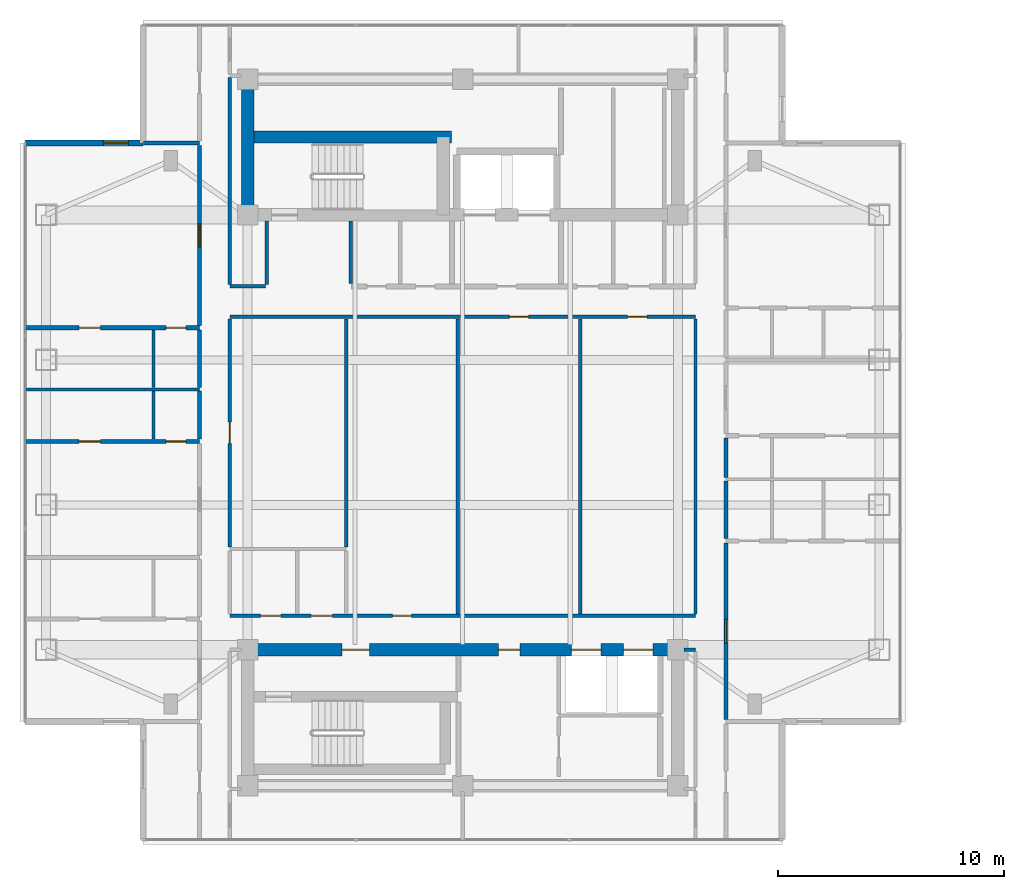
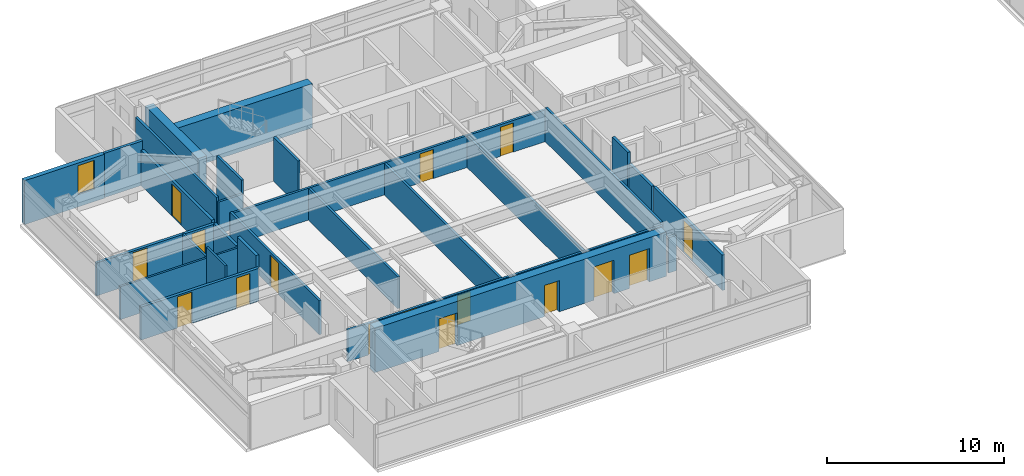
# One storey, part 12 of 23: 28 walls, 16 doors, 1 window, 17 openings.
"""IFC4 building model written with IfcOpenShell, lengths in metres."""

from ifc_helpers import new_model, si_unit, direction, frame, frame_2d, origin, place, context, subcontext, project, spatial, rectangle, extrude, material, layer, layer_set, type_object, element, fill, save


model = new_model("IFC4")

# Units and contexts
model_context = context("Model", 3, precision=1e-05, world=origin(), true_north=direction((0.0, 1.0)))
body_context = subcontext(model_context, "Body", "Model", "MODEL_VIEW")
ifc_project = project(units=[si_unit("LENGTHUNIT", "METRE"), si_unit("AREAUNIT", "SQUARE_METRE"), si_unit("VOLUMEUNIT", "CUBIC_METRE"), si_unit("PLANEANGLEUNIT", "RADIAN"), si_unit("MASSUNIT", "GRAM", prefix="KILO")], contexts=[model_context])

# Site, building, storey
site_placement = place(None, origin())
site = spatial("IfcSite", under=ifc_project, at=site_placement, CompositionType="ELEMENT")
building_placement = place(site_placement, origin())
building = spatial("IfcBuilding", under=site, at=building_placement, Name="Mirazonda Arch Towers", CompositionType="ELEMENT")
storey_placement = place(building_placement, frame((0.0, 0.0, 183.64990234375)))
storey = spatial("IfcBuildingStorey", under=building, at=storey_placement, Name="L52", CompositionType="ELEMENT", Elevation=183.64990234375)

# Walls
ifc_material_1 = material(Name="Concrete C50/60", Category="concrete")
ifc_layer_1 = layer(ifc_material_1, 0.550048828125, Name="WALL-CORE-550")
ifc_layer_set_1 = layer_set([ifc_layer_1], Name="Concrete C50/60")
wall_type_1 = type_object("IfcWallType", Name="WALL-CORE-550", PredefinedType="SHEAR", material=ifc_layer_set_1)
wall_1_placement = place(storey_placement, frame((11.0, 37.60009765625, 0.0), z_axis=(0.0, 0.0, 1.0), x_axis=(0.0, 1.0, 0.0)))
element("IfcWall", 1, at=wall_1_placement, inside=storey, type_object=wall_type_1, Name="L52 T1N-W Core Shear Wall", PredefinedType="SHEAR", context=body_context, shape_type="SweptSolid", body=[
    extrude(rectangle(XDim=6.0, YDim=0.550048828125, at=frame_2d((3.0, 0.0))), origin(), (0.0, 0.0, 1.0), 3.050048828125),
])
wall_2_placement = place(storey_placement, frame((11.0, 41.04296875, 0.0), z_axis=(0.0, 0.0, 1.0), x_axis=(1.0, 0.0, 0.0)))
element("IfcWall", 2, at=wall_2_placement, inside=storey, type_object=wall_type_1, Name="L52 T1N-STN Core Shear Wall", PredefinedType="SHEAR", context=body_context, shape_type="SweptSolid", body=[
    extrude(rectangle(XDim=9.0, YDim=0.550048828125, at=frame_2d((4.5, 0.0))), origin(), (0.0, 0.0, 1.0), 3.050048828125),
])

# Wall, openings, doors
wall_3_placement = place(storey_placement, frame((11.0, 18.39990234375, 0.0), z_axis=(0.0, 0.0, 1.0), x_axis=(1.0, 0.0, 0.0)))
wall_3 = element("IfcWall", 3, at=wall_3_placement, inside=storey, type_object=wall_type_1, Name="L52 T1S-N Core Shear Wall", PredefinedType="SHEAR", context=body_context, shape_type="SweptSolid", body=[
    extrude(rectangle(XDim=19.0, YDim=0.550048828125, at=frame_2d((9.5, 0.0))), origin(), (0.0, 0.0, 1.0), 3.050048828125),
])
opening_1_placement = place(wall_3_placement, frame((4.175048828125, 0.0, 0.0)))
opening_1 = element("IfcOpeningElement", 4, at=opening_1_placement, cuts=wall_3, Name="Opening DR-117", PredefinedType="OPENING", context=body_context, shape_type="SweptSolid", body=[
    extrude(rectangle(XDim=1.199951171875, YDim=2.25, at=frame_2d((0.60009765625, 1.125))), frame((0.0, 0.284912109375, 0.0), z_axis=(0.0, -1.0, 0.0), x_axis=(1.0, 0.0, 0.0)), (0.0, 0.0, 1.0), 0.570068359375),
])
opening_2_placement = place(wall_3_placement, frame((11.074951171875, 0.0, 0.0)))
opening_2 = element("IfcOpeningElement", 5, at=opening_2_placement, cuts=wall_3, Name="Opening DR-104", PredefinedType="OPENING", context=body_context, shape_type="SweptSolid", body=[
    extrude(rectangle(XDim=0.949951171875, YDim=2.14990234375, at=frame_2d((0.47509765625, 1.074951171875))), frame((0.0, 0.284912109375, 0.0), z_axis=(0.0, -1.0, 0.0), x_axis=(1.0, 0.0, 0.0)), (0.0, 0.0, 1.0), 0.570068359375),
])
opening_3_placement = place(wall_3_placement, frame((14.300048828125, 0.0, 0.0)))
opening_3 = element("IfcOpeningElement", 6, at=opening_3_placement, cuts=wall_3, Name="Opening LD-111", PredefinedType="OPENING", context=body_context, shape_type="SweptSolid", body=[
    extrude(rectangle(XDim=1.300048828125, YDim=2.300048828125, at=frame_2d((0.64990234375, 1.14990234375))), frame((0.0, 0.284912109375, 0.0), z_axis=(0.0, -1.0, 0.0), x_axis=(1.0, 0.0, 0.0)), (0.0, 0.0, 1.0), 0.570068359375),
])
opening_4_placement = place(wall_3_placement, frame((16.60009765625, 0.0, 0.0)))
opening_4 = element("IfcOpeningElement", 7, at=opening_4_placement, cuts=wall_3, Name="Opening LD-111", PredefinedType="OPENING", context=body_context, shape_type="SweptSolid", body=[
    extrude(rectangle(XDim=1.300048828125, YDim=2.300048828125, at=frame_2d((0.64990234375, 1.14990234375))), frame((0.0, 0.284912109375, 0.0), z_axis=(0.0, -1.0, 0.0), x_axis=(1.0, 0.0, 0.0)), (0.0, 0.0, 1.0), 0.570068359375),
])
ifc_material_2 = material(Name="Architectural Brushed Steel S355", Category="steel")
door_type_1 = type_object("IfcDoorType", Name="DOOR-FFL-FD90-1200", OperationType="NOTDEFINED", PredefinedType="DOOR", material=ifc_material_2)
door_1_placement = place(opening_1_placement, origin())
door_1 = element("IfcDoor", 8, at=door_1_placement, inside=storey, type_object=door_type_1, Name="L52 South Core Stair & Lift Lobby Door", OperationType="SINGLE_SWING_LEFT", OverallHeight=2.25, OverallWidth=1.199951171875, PredefinedType="DOOR", context=body_context, shape_type="SweptSolid", body=[
    extrude(rectangle(XDim=1.199951171875, YDim=2.25, at=frame_2d((0.60009765625, 1.125))), frame((0.0, 0.02490234375, 0.0), z_axis=(0.0, -1.0, 0.0), x_axis=(1.0, 0.0, 0.0)), (0.0, 0.0, 1.0), 0.050048828125),
])
fill(opening_1, door_1)
door_type_2 = type_object("IfcDoorType", Name="DOOR-LIFT-LAND-1300", OperationType="NOTDEFINED", PredefinedType="DOOR", material=ifc_material_2)
door_2_placement = place(opening_3_placement, origin())
door_2 = element("IfcDoor", 9, at=door_2_placement, inside=storey, type_object=door_type_2, Name="L52 Lift Landing Sliding Door PL-T1H1", OperationType="DOUBLE_DOOR_SLIDING", OverallHeight=2.300048828125, OverallWidth=1.300048828125, PredefinedType="DOOR", context=body_context, shape_type="SweptSolid", body=[
    extrude(rectangle(XDim=1.300048828125, YDim=2.300048828125, at=frame_2d((0.64990234375, 1.14990234375))), frame((0.0, 0.02490234375, 0.0), z_axis=(0.0, -1.0, 0.0), x_axis=(1.0, 0.0, 0.0)), (0.0, 0.0, 1.0), 0.050048828125),
])
fill(opening_3, door_2)
door_3_placement = place(opening_4_placement, origin())
door_3 = element("IfcDoor", 10, at=door_3_placement, inside=storey, type_object=door_type_2, Name="L52 Lift Landing Sliding Door PL-T1H2", OperationType="DOUBLE_DOOR_SLIDING", OverallHeight=2.300048828125, OverallWidth=1.300048828125, PredefinedType="DOOR", context=body_context, shape_type="SweptSolid", body=[
    extrude(rectangle(XDim=1.300048828125, YDim=2.300048828125, at=frame_2d((0.64990234375, 1.14990234375))), frame((0.0, 0.02490234375, 0.0), z_axis=(0.0, -1.0, 0.0), x_axis=(1.0, 0.0, 0.0)), (0.0, 0.0, 1.0), 0.050048828125),
])
fill(opening_4, door_3)
door_type_3 = type_object("IfcDoorType", Name="DOOR-ROOM-950", OperationType="NOTDEFINED", PredefinedType="DOOR", material=ifc_material_2)
door_4_placement = place(opening_2_placement, origin())
door_4 = element("IfcDoor", 11, at=door_4_placement, inside=storey, type_object=door_type_3, Name="L52 Residents Wine Tasting Lounge Door", OperationType="SINGLE_SWING_LEFT", OverallHeight=2.14990234375, OverallWidth=0.949951171875, PredefinedType="DOOR", context=body_context, shape_type="SweptSolid", body=[
    extrude(rectangle(XDim=0.949951171875, YDim=2.14990234375, at=frame_2d((0.47509765625, 1.074951171875))), frame((0.0, 0.02490234375, 0.0), z_axis=(0.0, -1.0, 0.0), x_axis=(1.0, 0.0, 0.0)), (0.0, 0.0, 1.0), 0.050048828125),
])
fill(opening_2, door_4)

# Wall, opening, window
ifc_material_3 = material(Name="Precast Concrete C40/50", Category="concrete")
ifc_layer_2 = layer(ifc_material_3, 0.280029296875, Name="WALL-EXT-WALL-280")
ifc_layer_set_2 = layer_set([ifc_layer_2], Name="Precast Concrete C40/50")
wall_type_2 = type_object("IfcWallType", Name="WALL-EXT-WALL-280", PredefinedType="SOLIDWALL", material=ifc_layer_set_2)
wall_4_placement = place(storey_placement, frame((6.385009765625, 40.77490234375, 0.0), z_axis=(0.0, 0.0, 1.0), x_axis=(-1.0, 0.0, 0.0)))
wall_4 = element("IfcWall", 12, at=wall_4_placement, inside=storey, type_object=wall_type_2, Name="L52 T1 Corner Notch Return Wall WL-L52-T1-CNW1", PredefinedType="SOLIDWALL", context=body_context, shape_type="SweptSolid", body=[
    extrude(rectangle(XDim=5.215087890625, YDim=0.280029296875, at=frame_2d((2.607421875, 0.0))), origin(), (0.0, 0.0, 1.0), 3.030029296875),
])
opening_5_placement = place(wall_4_placement, frame((0.64990234375, 0.0, 0.85009765625)))
opening_5 = element("IfcOpeningElement", 13, at=opening_5_placement, cuts=wall_4, Name="Opening WN-108", PredefinedType="OPENING", context=body_context, shape_type="SweptSolid", body=[
    extrude(rectangle(XDim=1.10009765625, YDim=2.0, at=frame_2d((0.550048828125, 1.0))), frame((0.0, 0.14990234375, 0.0), z_axis=(0.0, -1.0, 0.0), x_axis=(1.0, 0.0, 0.0)), (0.0, 0.0, 1.0), 0.300048828125),
])
ifc_material_4 = material(Name="Insulated Low-E Solar Glass", Category="glass")
window_type = type_object("IfcWindowType", Name="WIN-NOTCH-1100x2000", PartitioningType="SINGLE_PANEL", PredefinedType="WINDOW", material=ifc_material_4)
window_placement = place(opening_5_placement, origin())
window = element("IfcWindow", 14, at=window_placement, inside=storey, type_object=window_type, Name="L52 Punched Facade Window WN-L52-T1-CNW1", OverallHeight=2.0, OverallWidth=1.10009765625, PartitioningType="SINGLE_PANEL", PredefinedType="WINDOW", context=body_context, shape_type="SweptSolid", body=[
    extrude(rectangle(XDim=1.10009765625, YDim=2.0, at=frame_2d((0.550048828125, 1.0))), frame((0.0, 0.030029296875, 0.0), z_axis=(0.0, -1.0, 0.0), x_axis=(1.0, 0.0, 0.0)), (0.0, 0.0, 1.0), 0.06005859375),
])
fill(opening_5, window)

# Wall
ifc_material_5 = material(Name="Fire-Rated Gypsum Stud Partition")
ifc_layer_3 = layer(ifc_material_5, 0.14990234375, Name="WALL-PART-CORR-150")
ifc_layer_set_3 = layer_set([ifc_layer_3], Name="Fire-Rated Gypsum Stud Partition")
wall_type_3 = type_object("IfcWallType", Name="WALL-PART-CORR-150", PredefinedType="PARTITIONING", material=ifc_layer_set_3)
wall_5_placement = place(storey_placement, frame((30.27001953125, 18.39990234375, 0.0), z_axis=(0.0, 0.0, 1.0), x_axis=(1.0, 0.0, 0.0)))
element("IfcWall", 15, at=wall_5_placement, inside=storey, type_object=wall_type_3, Name="L52 Interior Partition 012", PredefinedType="PARTITIONING", context=body_context, shape_type="SweptSolid", body=[
    extrude(rectangle(XDim=0.510009765625, YDim=0.14990234375, at=frame_2d((0.2548828125, 0.0))), origin(), (0.0, 0.0, 1.0), 2.442138671875),
])

# Wall, openings, doors
wall_6_placement = place(storey_placement, frame((10.219970703125, 19.89990234375, 0.0), z_axis=(0.0, 0.0, 1.0), x_axis=(1.0, 0.0, 0.0)))
wall_6 = element("IfcWall", 16, at=wall_6_placement, inside=storey, type_object=wall_type_3, Name="L52 Interior Partition 015", PredefinedType="PARTITIONING", context=body_context, shape_type="SweptSolid", body=[
    extrude(rectangle(XDim=20.56005859375, YDim=0.14990234375, at=frame_2d((10.280029296875, 0.0))), origin(), (0.0, 0.0, 1.0), 2.18603515625),
])
opening_6_placement = place(wall_6_placement, frame((1.360107421875, 0.0, 0.0)))
opening_6 = element("IfcOpeningElement", 17, at=opening_6_placement, cuts=wall_6, Name="Opening DR-120", PredefinedType="OPENING", context=body_context, shape_type="SweptSolid", body=[
    extrude(rectangle(XDim=0.89990234375, YDim=2.10009765625, at=frame_2d((0.449951171875, 1.050048828125))), frame((0.0, 0.0849609375, 0.0), z_axis=(0.0, -1.0, 0.0), x_axis=(1.0, 0.0, 0.0)), (0.0, 0.0, 1.0), 0.169921875),
])
opening_7_placement = place(wall_6_placement, frame((3.580078125, 0.0, 0.0)))
opening_7 = element("IfcOpeningElement", 18, at=opening_7_placement, cuts=wall_6, Name="Opening DR-104", PredefinedType="OPENING", context=body_context, shape_type="SweptSolid", body=[
    extrude(rectangle(XDim=0.949951171875, YDim=2.14990234375, at=frame_2d((0.47509765625, 1.074951171875))), frame((0.0, 0.0849609375, 0.0), z_axis=(0.0, -1.0, 0.0), x_axis=(1.0, 0.0, 0.0)), (0.0, 0.0, 1.0), 0.169921875),
])
opening_8_placement = place(wall_6_placement, frame((7.174072265625, 0.0, 0.0)))
opening_8 = element("IfcOpeningElement", 19, at=opening_8_placement, cuts=wall_6, Name="Opening DR-128", PredefinedType="OPENING", context=body_context, shape_type="SweptSolid", body=[
    extrude(rectangle(XDim=0.85009765625, YDim=2.010009765625, at=frame_2d((0.425048828125, 1.0048828125))), frame((0.0, 0.0849609375, 0.0), z_axis=(0.0, -1.0, 0.0), x_axis=(1.0, 0.0, 0.0)), (0.0, 0.0, 1.0), 0.169921875),
])
door_type_4 = type_object("IfcDoorType", Name="DOOR-RISER-FD60-850", OperationType="NOTDEFINED", PredefinedType="DOOR", material=ifc_material_2)
door_5_placement = place(opening_8_placement, origin())
door_5 = element("IfcDoor", 20, at=door_5_placement, inside=storey, type_object=door_type_4, Name="L52 Residents Private Library Door", OperationType="SINGLE_SWING_RIGHT", OverallHeight=2.010009765625, OverallWidth=0.85009765625, PredefinedType="DOOR", context=body_context, shape_type="SweptSolid", body=[
    extrude(rectangle(XDim=0.85009765625, YDim=2.010009765625, at=frame_2d((0.425048828125, 1.0048828125))), frame((0.0, 0.02490234375, 0.0), z_axis=(0.0, -1.0, 0.0), x_axis=(1.0, 0.0, 0.0)), (0.0, 0.0, 1.0), 0.050048828125),
])
fill(opening_8, door_5)
door_6_placement = place(opening_7_placement, origin())
door_6 = element("IfcDoor", 21, at=door_6_placement, inside=storey, type_object=door_type_3, Name="L52 L52 West Courtyard Study Door", OperationType="SINGLE_SWING_RIGHT", OverallHeight=2.14990234375, OverallWidth=0.949951171875, PredefinedType="DOOR", context=body_context, shape_type="SweptSolid", body=[
    extrude(rectangle(XDim=0.949951171875, YDim=2.14990234375, at=frame_2d((0.47509765625, 1.074951171875))), frame((0.0, 0.02490234375, 0.0), z_axis=(0.0, -1.0, 0.0), x_axis=(1.0, 0.0, 0.0)), (0.0, 0.0, 1.0), 0.050048828125),
])
fill(opening_7, door_6)
door_type_5 = type_object("IfcDoorType", Name="DOOR-WC-900", OperationType="NOTDEFINED", PredefinedType="DOOR", material=ifc_material_2)
door_7_placement = place(opening_6_placement, origin())
door_7 = element("IfcDoor", 22, at=door_7_placement, inside=storey, type_object=door_type_5, Name="L52 Common Accessible WC Door", OperationType="SINGLE_SWING_LEFT", OverallHeight=2.10009765625, OverallWidth=0.89990234375, PredefinedType="DOOR", context=body_context, shape_type="SweptSolid", body=[
    extrude(rectangle(XDim=0.89990234375, YDim=2.10009765625, at=frame_2d((0.449951171875, 1.050048828125))), frame((0.0, 0.02490234375, 0.0), z_axis=(0.0, -1.0, 0.0), x_axis=(1.0, 0.0, 0.0)), (0.0, 0.0, 1.0), 0.050048828125),
])
fill(opening_6, door_7)

wall_7_placement = place(storey_placement, frame((10.219970703125, 33.10009765625, 0.0), z_axis=(0.0, 0.0, 1.0), x_axis=(1.0, 0.0, 0.0)))
wall_7 = element("IfcWall", 23, at=wall_7_placement, inside=storey, type_object=wall_type_3, Name="L52 Interior Partition 046", PredefinedType="PARTITIONING", context=body_context, shape_type="SweptSolid", body=[
    extrude(rectangle(XDim=20.56005859375, YDim=0.14990234375, at=frame_2d((10.280029296875, 0.0))), origin(), (0.0, 0.0, 1.0), 2.18603515625),
])
opening_9_placement = place(wall_7_placement, frame((12.343017578125, 0.0, 0.0)))
opening_9 = element("IfcOpeningElement", 24, at=opening_9_placement, cuts=wall_7, Name="Opening DR-128", PredefinedType="OPENING", context=body_context, shape_type="SweptSolid", body=[
    extrude(rectangle(XDim=0.85009765625, YDim=2.010009765625, at=frame_2d((0.425048828125, 1.0048828125))), frame((0.0, 0.0849609375, 0.0), z_axis=(0.0, -1.0, 0.0), x_axis=(1.0, 0.0, 0.0)), (0.0, 0.0, 1.0), 0.169921875),
])
opening_10_placement = place(wall_7_placement, frame((17.569091796875, 0.0, 0.0)))
opening_10 = element("IfcOpeningElement", 25, at=opening_10_placement, cuts=wall_7, Name="Opening DR-128", PredefinedType="OPENING", context=body_context, shape_type="SweptSolid", body=[
    extrude(rectangle(XDim=0.85009765625, YDim=2.010009765625, at=frame_2d((0.425048828125, 1.0048828125))), frame((0.0, 0.0849609375, 0.0), z_axis=(0.0, -1.0, 0.0), x_axis=(1.0, 0.0, 0.0)), (0.0, 0.0, 1.0), 0.169921875),
])
door_8_placement = place(opening_9_placement, origin())
door_8 = element("IfcDoor", 26, at=door_8_placement, inside=storey, type_object=door_type_4, Name="L52 Private Dining Room Door", OperationType="SINGLE_SWING_LEFT", OverallHeight=2.010009765625, OverallWidth=0.85009765625, PredefinedType="DOOR", context=body_context, shape_type="SweptSolid", body=[
    extrude(rectangle(XDim=0.85009765625, YDim=2.010009765625, at=frame_2d((0.425048828125, 1.0048828125))), frame((0.0, 0.02490234375, 0.0), z_axis=(0.0, -1.0, 0.0), x_axis=(1.0, 0.0, 0.0)), (0.0, 0.0, 1.0), 0.050048828125),
])
fill(opening_9, door_8)
door_9_placement = place(opening_10_placement, origin())
door_9 = element("IfcDoor", 27, at=door_9_placement, inside=storey, type_object=door_type_4, Name="L52 Collectors Gallery Study Door", OperationType="SINGLE_SWING_RIGHT", OverallHeight=2.010009765625, OverallWidth=0.85009765625, PredefinedType="DOOR", context=body_context, shape_type="SweptSolid", body=[
    extrude(rectangle(XDim=0.85009765625, YDim=2.010009765625, at=frame_2d((0.425048828125, 1.0048828125))), frame((0.0, 0.02490234375, 0.0), z_axis=(0.0, -1.0, 0.0), x_axis=(1.0, 0.0, 0.0)), (0.0, 0.0, 1.0), 0.050048828125),
])
fill(opening_10, door_9)

# Wall
wall_8_placement = place(storey_placement, frame((10.219970703125, 34.449951171875, 0.0), z_axis=(0.0, 0.0, 1.0), x_axis=(1.0, 0.0, 0.0)))
element("IfcWall", 28, at=wall_8_placement, inside=storey, type_object=wall_type_3, Name="L52 Interior Partition 048", PredefinedType="PARTITIONING", context=body_context, shape_type="SweptSolid", body=[
    extrude(rectangle(XDim=1.580078125, YDim=0.14990234375, at=frame_2d((0.7900390625, 0.0))), origin(), (0.0, 0.0, 1.0), 2.18603515625),
])

# Wall, opening, door
wall_9_placement = place(storey_placement, frame((10.219970703125, 22.93505859375, 0.0), z_axis=(0.0, 0.0, 1.0), x_axis=(0.0, 1.0, 0.0)))
wall_9 = element("IfcWall", 29, at=wall_9_placement, inside=storey, type_object=wall_type_3, Name="L52 Interior Partition 075", PredefinedType="PARTITIONING", context=body_context, shape_type="SweptSolid", body=[
    extrude(rectangle(XDim=10.079833984375, YDim=0.14990234375, at=frame_2d((5.0400390625, 0.0))), origin(), (0.0, 0.0, 1.0), 2.34619140625),
])
opening_11_placement = place(wall_9_placement, frame((4.56494140625, 0.0, 0.0)))
opening_11 = element("IfcOpeningElement", 30, at=opening_11_placement, cuts=wall_9, Name="Opening DR-104", PredefinedType="OPENING", context=body_context, shape_type="SweptSolid", body=[
    extrude(rectangle(XDim=0.949951171875, YDim=2.14990234375, at=frame_2d((0.47509765625, 1.074951171875))), frame((0.0, 0.0849609375, 0.0), z_axis=(0.0, -1.0, 0.0), x_axis=(1.0, 0.0, 0.0)), (0.0, 0.0, 1.0), 0.169921875),
])
door_10_placement = place(opening_11_placement, origin())
door_10 = element("IfcDoor", 31, at=door_10_placement, inside=storey, type_object=door_type_3, Name="L52 L52 West Courtyard Salon Door", OperationType="SINGLE_SWING_LEFT", OverallHeight=2.14990234375, OverallWidth=0.949951171875, PredefinedType="DOOR", context=body_context, shape_type="SweptSolid", body=[
    extrude(rectangle(XDim=0.949951171875, YDim=2.14990234375, at=frame_2d((0.47509765625, 1.074951171875))), frame((0.0, 0.02490234375, 0.0), z_axis=(0.0, -1.0, 0.0), x_axis=(1.0, 0.0, 0.0)), (0.0, 0.0, 1.0), 0.050048828125),
])
fill(opening_11, door_10)

# Walls
wall_10_placement = place(storey_placement, frame((10.219970703125, 34.534912109375, 0.0), z_axis=(0.0, 0.0, 1.0), x_axis=(0.0, 1.0, 0.0)))
element("IfcWall", 32, at=wall_10_placement, inside=storey, type_object=wall_type_3, Name="L52 Interior Partition 076", PredefinedType="PARTITIONING", context=body_context, shape_type="SweptSolid", body=[
    extrude(rectangle(XDim=9.130126953125, YDim=0.14990234375, at=frame_2d((4.56494140625, 0.0))), origin(), (0.0, 0.0, 1.0), 2.442138671875),
])
wall_11_placement = place(storey_placement, frame((11.85009765625, 34.534912109375, 0.0), z_axis=(0.0, 0.0, 1.0), x_axis=(0.0, 1.0, 0.0)))
element("IfcWall", 33, at=wall_11_placement, inside=storey, type_object=wall_type_3, Name="L52 Interior Partition 078", PredefinedType="PARTITIONING", context=body_context, shape_type="SweptSolid", body=[
    extrude(rectangle(XDim=2.795166015625, YDim=0.14990234375, at=frame_2d((1.3974609375, 0.0))), origin(), (0.0, 0.0, 1.0), 3.050048828125),
])
wall_12_placement = place(storey_placement, frame((15.35009765625, 22.93505859375, 0.0), z_axis=(0.0, 0.0, 1.0), x_axis=(0.0, 1.0, 0.0)))
element("IfcWall", 34, at=wall_12_placement, inside=storey, type_object=wall_type_3, Name="L52 Interior Partition 081", PredefinedType="PARTITIONING", context=body_context, shape_type="SweptSolid", body=[
    extrude(rectangle(XDim=10.079833984375, YDim=0.14990234375, at=frame_2d((5.0400390625, 0.0))), origin(), (0.0, 0.0, 1.0), 2.18603515625),
])
wall_13_placement = place(storey_placement, frame((15.550048828125, 34.570068359375, 0.0), z_axis=(0.0, 0.0, 1.0), x_axis=(0.0, 1.0, 0.0)))
element("IfcWall", 35, at=wall_13_placement, inside=storey, type_object=wall_type_3, Name="L52 Interior Partition 082", PredefinedType="PARTITIONING", context=body_context, shape_type="SweptSolid", body=[
    extrude(rectangle(XDim=2.760009765625, YDim=0.14990234375, at=frame_2d((1.3798828125, 0.0))), origin(), (0.0, 0.0, 1.0), 3.050048828125),
])
for number, where, z_axis, x_axis, name in (
    (36, (20.2880859375, 19.985107421875, 0.0), (0.0, 0.0, 1.0), (0.0, 1.0, 0.0), "L52 Interior Partition 088"),
    (37, (25.68798828125, 19.985107421875, 0.0), (0.0, 0.0, 1.0), (0.0, 1.0, 0.0), "L52 Interior Partition 097"),
):
    element("IfcWall", number, at=place(storey_placement, frame(where, z_axis=z_axis, x_axis=x_axis)), inside=storey, type_object=wall_type_3, Name=name, PredefinedType="PARTITIONING", context=body_context, shape_type="SweptSolid", body=[
        extrude(rectangle(XDim=13.02978515625, YDim=0.14990234375, at=frame_2d((6.514892578125, 0.0))), origin(), (0.0, 0.0, 1.0), 2.18603515625),
    ])
wall_14_placement = place(storey_placement, frame((30.780029296875, 19.985107421875, 0.0), z_axis=(0.0, 0.0, 1.0), x_axis=(0.0, 1.0, 0.0)))
element("IfcWall", 38, at=wall_14_placement, inside=storey, type_object=wall_type_3, Name="L52 Interior Partition 106", PredefinedType="PARTITIONING", context=body_context, shape_type="SweptSolid", body=[
    extrude(rectangle(XDim=13.02978515625, YDim=0.14990234375, at=frame_2d((6.514892578125, 0.0))), origin(), (0.0, 0.0, 1.0), 2.34619140625),
])

# Wall, openings, doors
ifc_material_6 = material(Name="Fire-Rated Gypsum Twin-Stud Assembly")
ifc_layer_4 = layer(ifc_material_6, 0.179931640625, Name="WALL-PART-DEMISE-180")
ifc_layer_set_4 = layer_set([ifc_layer_4], Name="Fire-Rated Gypsum Twin-Stud Assembly")
wall_type_4 = type_object("IfcWallType", Name="WALL-PART-DEMISE-180", PredefinedType="PARTITIONING", material=ifc_layer_set_4)
wall_15_placement = place(storey_placement, frame((1.169921875, 27.597900390625, 0.0), z_axis=(0.0, 0.0, 1.0), x_axis=(1.0, 0.0, 0.0)))
wall_15 = element("IfcWall", 39, at=wall_15_placement, inside=storey, type_object=wall_type_4, Name="L52 Interior Partition 032", PredefinedType="PARTITIONING", context=body_context, shape_type="SweptSolid", body=[
    extrude(rectangle(XDim=7.7099609375, YDim=0.179931640625, at=frame_2d((3.85498046875, 0.0))), origin(), (0.0, 0.0, 1.0), 2.26904296875),
])
opening_12_placement = place(wall_15_placement, frame((2.3798828125, 0.0, 0.0)))
opening_12 = element("IfcOpeningElement", 40, at=opening_12_placement, cuts=wall_15, Name="Opening DR-104", PredefinedType="OPENING", context=body_context, shape_type="SweptSolid", body=[
    extrude(rectangle(XDim=0.949951171875, YDim=2.14990234375, at=frame_2d((0.47509765625, 1.074951171875))), frame((0.0, 0.099853515625, 0.0), z_axis=(0.0, -1.0, 0.0), x_axis=(1.0, 0.0, 0.0)), (0.0, 0.0, 1.0), 0.199951171875),
])
opening_13_placement = place(wall_15_placement, frame((6.219970703125, 0.0, 0.0)))
opening_13 = element("IfcOpeningElement", 41, at=opening_13_placement, cuts=wall_15, Name="Opening DR-120", PredefinedType="OPENING", context=body_context, shape_type="SweptSolid", body=[
    extrude(rectangle(XDim=0.89990234375, YDim=2.10009765625, at=frame_2d((0.449951171875, 1.050048828125))), frame((0.0, 0.099853515625, 0.0), z_axis=(0.0, -1.0, 0.0), x_axis=(1.0, 0.0, 0.0)), (0.0, 0.0, 1.0), 0.199951171875),
])
door_11_placement = place(opening_12_placement, origin())
door_11 = element("IfcDoor", 42, at=door_11_placement, inside=storey, type_object=door_type_3, Name="L52 Studio 2 Galley Kitchen Door", OperationType="SINGLE_SWING_RIGHT", OverallHeight=2.14990234375, OverallWidth=0.949951171875, PredefinedType="DOOR", context=body_context, shape_type="SweptSolid", body=[
    extrude(rectangle(XDim=0.949951171875, YDim=2.14990234375, at=frame_2d((0.47509765625, 1.074951171875))), frame((0.0, 0.02490234375, 0.0), z_axis=(0.0, -1.0, 0.0), x_axis=(1.0, 0.0, 0.0)), (0.0, 0.0, 1.0), 0.050048828125),
])
fill(opening_12, door_11)
door_12_placement = place(opening_13_placement, origin())
door_12 = element("IfcDoor", 43, at=door_12_placement, inside=storey, type_object=door_type_5, Name="L52 Studio 2 Bathroom Door", OperationType="SINGLE_SWING_LEFT", OverallHeight=2.10009765625, OverallWidth=0.89990234375, PredefinedType="DOOR", context=body_context, shape_type="SweptSolid", body=[
    extrude(rectangle(XDim=0.89990234375, YDim=2.10009765625, at=frame_2d((0.449951171875, 1.050048828125))), frame((0.0, 0.02490234375, 0.0), z_axis=(0.0, -1.0, 0.0), x_axis=(1.0, 0.0, 0.0)), (0.0, 0.0, 1.0), 0.050048828125),
])
fill(opening_13, door_12)

wall_16_placement = place(storey_placement, frame((1.169921875, 32.617919921875, 0.0), z_axis=(0.0, 0.0, 1.0), x_axis=(1.0, 0.0, 0.0)))
wall_16 = element("IfcWall", 44, at=wall_16_placement, inside=storey, type_object=wall_type_4, Name="L52 Interior Partition 045", PredefinedType="PARTITIONING", context=body_context, shape_type="SweptSolid", body=[
    extrude(rectangle(XDim=7.7099609375, YDim=0.179931640625, at=frame_2d((3.85498046875, 0.0))), origin(), (0.0, 0.0, 1.0), 2.26904296875),
])
opening_14_placement = place(wall_16_placement, frame((2.3798828125, 0.0, 0.0)))
opening_14 = element("IfcOpeningElement", 45, at=opening_14_placement, cuts=wall_16, Name="Opening DR-104", PredefinedType="OPENING", context=body_context, shape_type="SweptSolid", body=[
    extrude(rectangle(XDim=0.949951171875, YDim=2.14990234375, at=frame_2d((0.47509765625, 1.074951171875))), frame((0.0, 0.099853515625, 0.0), z_axis=(0.0, -1.0, 0.0), x_axis=(1.0, 0.0, 0.0)), (0.0, 0.0, 1.0), 0.199951171875),
])
opening_15_placement = place(wall_16_placement, frame((6.219970703125, 0.0, 0.0)))
opening_15 = element("IfcOpeningElement", 46, at=opening_15_placement, cuts=wall_16, Name="Opening DR-120", PredefinedType="OPENING", context=body_context, shape_type="SweptSolid", body=[
    extrude(rectangle(XDim=0.89990234375, YDim=2.10009765625, at=frame_2d((0.449951171875, 1.050048828125))), frame((0.0, 0.099853515625, 0.0), z_axis=(0.0, -1.0, 0.0), x_axis=(1.0, 0.0, 0.0)), (0.0, 0.0, 1.0), 0.199951171875),
])
door_13_placement = place(opening_14_placement, origin())
door_13 = element("IfcDoor", 47, at=door_13_placement, inside=storey, type_object=door_type_3, Name="L52 Studio 3 Galley Kitchen Door", OperationType="SINGLE_SWING_LEFT", OverallHeight=2.14990234375, OverallWidth=0.949951171875, PredefinedType="DOOR", context=body_context, shape_type="SweptSolid", body=[
    extrude(rectangle(XDim=0.949951171875, YDim=2.14990234375, at=frame_2d((0.47509765625, 1.074951171875))), frame((0.0, 0.02490234375, 0.0), z_axis=(0.0, -1.0, 0.0), x_axis=(1.0, 0.0, 0.0)), (0.0, 0.0, 1.0), 0.050048828125),
])
fill(opening_14, door_13)
door_14_placement = place(opening_15_placement, origin())
door_14 = element("IfcDoor", 48, at=door_14_placement, inside=storey, type_object=door_type_5, Name="L52 Studio 3 Bathroom Door", OperationType="SINGLE_SWING_RIGHT", OverallHeight=2.10009765625, OverallWidth=0.89990234375, PredefinedType="DOOR", context=body_context, shape_type="SweptSolid", body=[
    extrude(rectangle(XDim=0.89990234375, YDim=2.10009765625, at=frame_2d((0.449951171875, 1.050048828125))), frame((0.0, 0.02490234375, 0.0), z_axis=(0.0, -1.0, 0.0), x_axis=(1.0, 0.0, 0.0)), (0.0, 0.0, 1.0), 0.050048828125),
])
fill(opening_15, door_14)

# Walls
wall_17_placement = place(storey_placement, frame((6.405029296875, 40.77490234375, 0.0), z_axis=(0.0, 0.0, 1.0), x_axis=(1.0, 0.0, 0.0)))
element("IfcWall", 49, at=wall_17_placement, inside=storey, type_object=wall_type_4, Name="L52 Interior Partition 057", PredefinedType="PARTITIONING", context=body_context, shape_type="SweptSolid", body=[
    extrude(rectangle(XDim=2.474853515625, YDim=0.179931640625, at=frame_2d((1.2373046875, 0.0))), origin(), (0.0, 0.0, 1.0), 3.050048828125),
])
wall_18_placement = place(storey_placement, frame((8.8798828125, 27.697998046875, 0.0), z_axis=(0.0, 0.0, 1.0), x_axis=(0.0, 1.0, 0.0)))
element("IfcWall", 50, at=wall_18_placement, inside=storey, type_object=wall_type_4, Name="L52 Interior Partition 068", PredefinedType="PARTITIONING", context=body_context, shape_type="SweptSolid", body=[
    extrude(rectangle(XDim=2.12744140625, YDim=0.179931640625, at=frame_2d((1.063720703125, 0.0))), origin(), (0.0, 0.0, 1.0), 3.050048828125),
])
wall_19_placement = place(storey_placement, frame((8.8798828125, 29.970458984375, 0.0), z_axis=(0.0, 0.0, 1.0), x_axis=(0.0, 1.0, 0.0)))
element("IfcWall", 51, at=wall_19_placement, inside=storey, type_object=wall_type_4, Name="L52 Interior Partition 069", PredefinedType="PARTITIONING", context=body_context, shape_type="SweptSolid", body=[
    extrude(rectangle(XDim=2.547607421875, YDim=0.179931640625, at=frame_2d((1.27392578125, 0.0))), origin(), (0.0, 0.0, 1.0), 2.34619140625),
])

# Wall, opening, door
wall_20_placement = place(storey_placement, frame((8.8798828125, 32.718017578125, 0.0), z_axis=(0.0, 0.0, 1.0), x_axis=(0.0, 1.0, 0.0)))
wall_20 = element("IfcWall", 52, at=wall_20_placement, inside=storey, type_object=wall_type_4, Name="L52 Interior Partition 070", PredefinedType="PARTITIONING", context=body_context, shape_type="SweptSolid", body=[
    extrude(rectangle(XDim=7.95703125, YDim=0.179931640625, at=frame_2d((3.978515625, 0.0))), origin(), (0.0, 0.0, 1.0), 2.442138671875),
])
opening_16_placement = place(wall_20_placement, frame((3.45361328125, 0.0, 0.0)))
opening_16 = element("IfcOpeningElement", 53, at=opening_16_placement, cuts=wall_20, Name="Opening DR-121", PredefinedType="OPENING", context=body_context, shape_type="SweptSolid", body=[
    extrude(rectangle(XDim=1.050048828125, YDim=2.199951171875, at=frame_2d((0.52490234375, 1.10009765625))), frame((0.0, 0.099853515625, 0.0), z_axis=(0.0, -1.0, 0.0), x_axis=(1.0, 0.0, 0.0)), (0.0, 0.0, 1.0), 0.199951171875),
])
door_type_6 = type_object("IfcDoorType", Name="DOOR-SUITE-FD60-1050", OperationType="NOTDEFINED", PredefinedType="DOOR", material=ifc_material_2)
door_15_placement = place(opening_16_placement, origin())
door_15 = element("IfcDoor", 54, at=door_15_placement, inside=storey, type_object=door_type_6, Name="L52 Studio Apartment 3 Living Salon Door", OperationType="SINGLE_SWING_RIGHT", OverallHeight=2.199951171875, OverallWidth=1.050048828125, PredefinedType="DOOR", context=body_context, shape_type="SweptSolid", body=[
    extrude(rectangle(XDim=1.050048828125, YDim=2.199951171875, at=frame_2d((0.52490234375, 1.10009765625))), frame((0.0, 0.02490234375, 0.0), z_axis=(0.0, -1.0, 0.0), x_axis=(1.0, 0.0, 0.0)), (0.0, 0.0, 1.0), 0.050048828125),
])
fill(opening_16, door_15)

wall_21_placement = place(storey_placement, frame((32.1201171875, 15.324951171875, 0.0), z_axis=(0.0, 0.0, 1.0), x_axis=(0.0, 1.0, 0.0)))
wall_21 = element("IfcWall", 55, at=wall_21_placement, inside=storey, type_object=wall_type_4, Name="L52 Interior Partition 110", PredefinedType="PARTITIONING", context=body_context, shape_type="SweptSolid", body=[
    extrude(rectangle(XDim=7.78515625, YDim=0.179931640625, at=frame_2d((3.892578125, 0.0))), origin(), (0.0, 0.0, 1.0), 2.442138671875),
])
opening_17_placement = place(wall_21_placement, frame((3.367431640625, 0.0, 0.0)))
opening_17 = element("IfcOpeningElement", 56, at=opening_17_placement, cuts=wall_21, Name="Opening DR-121", PredefinedType="OPENING", context=body_context, shape_type="SweptSolid", body=[
    extrude(rectangle(XDim=1.050048828125, YDim=2.199951171875, at=frame_2d((0.52490234375, 1.10009765625))), frame((0.0, 0.099853515625, 0.0), z_axis=(0.0, -1.0, 0.0), x_axis=(1.0, 0.0, 0.0)), (0.0, 0.0, 1.0), 0.199951171875),
])
door_16_placement = place(opening_17_placement, origin())
door_16 = element("IfcDoor", 57, at=door_16_placement, inside=storey, type_object=door_type_6, Name="L52 Residence 1 Living & Dining Salon Door", OperationType="SINGLE_SWING_LEFT", OverallHeight=2.199951171875, OverallWidth=1.050048828125, PredefinedType="DOOR", context=body_context, shape_type="SweptSolid", body=[
    extrude(rectangle(XDim=1.050048828125, YDim=2.199951171875, at=frame_2d((0.52490234375, 1.10009765625))), frame((0.0, 0.02490234375, 0.0), z_axis=(0.0, -1.0, 0.0), x_axis=(1.0, 0.0, 0.0)), (0.0, 0.0, 1.0), 0.050048828125),
])
fill(opening_17, door_16)

# Walls
wall_22_placement = place(storey_placement, frame((32.1201171875, 23.31005859375, 0.0), z_axis=(0.0, 0.0, 1.0), x_axis=(0.0, 1.0, 0.0)))
element("IfcWall", 58, at=wall_22_placement, inside=storey, type_object=wall_type_4, Name="L52 Interior Partition 111", PredefinedType="PARTITIONING", context=body_context, shape_type="SweptSolid", body=[
    extrude(rectangle(XDim=2.54736328125, YDim=0.179931640625, at=frame_2d((1.273681640625, 0.0))), origin(), (0.0, 0.0, 1.0), 2.34619140625),
])
wall_23_placement = place(storey_placement, frame((32.1201171875, 26.00244140625, 0.0), z_axis=(0.0, 0.0, 1.0), x_axis=(0.0, 1.0, 0.0)))
element("IfcWall", 59, at=wall_23_placement, inside=storey, type_object=wall_type_4, Name="L52 Interior Partition 112", PredefinedType="PARTITIONING", context=body_context, shape_type="SweptSolid", body=[
    extrude(rectangle(XDim=1.74755859375, YDim=0.179931640625, at=frame_2d((0.873779296875, 0.0))), origin(), (0.0, 0.0, 1.0), 3.050048828125),
])
ifc_material_7 = material(Name="Acoustic Fire-Rated Gypsum Partition")
ifc_layer_5 = layer(ifc_material_7, 0.125, Name="WALL-PART-UNIT-125")
ifc_layer_set_5 = layer_set([ifc_layer_5], Name="Acoustic Fire-Rated Gypsum Partition")
wall_type_5 = type_object("IfcWallType", Name="WALL-PART-UNIT-125", PredefinedType="PARTITIONING", material=ifc_layer_set_5)
wall_24_placement = place(storey_placement, frame((1.169921875, 29.89794921875, 0.0), z_axis=(0.0, 0.0, 1.0), x_axis=(1.0, 0.0, 0.0)))
element("IfcWall", 60, at=wall_24_placement, inside=storey, type_object=wall_type_5, Name="L52 Interior Partition 038", PredefinedType="PARTITIONING", context=body_context, shape_type="SweptSolid", body=[
    extrude(rectangle(XDim=7.7099609375, YDim=0.125, at=frame_2d((3.85498046875, 0.0))), origin(), (0.0, 0.0, 1.0), 2.26904296875),
])
wall_25_placement = place(storey_placement, frame((6.840087890625, 27.697998046875, 0.0), z_axis=(0.0, 0.0, 1.0), x_axis=(0.0, 1.0, 0.0)))
element("IfcWall", 61, at=wall_25_placement, inside=storey, type_object=wall_type_5, Name="L52 Interior Partition 062", PredefinedType="PARTITIONING", context=body_context, shape_type="SweptSolid", body=[
    extrude(rectangle(XDim=2.12744140625, YDim=0.125, at=frame_2d((1.063720703125, 0.0))), origin(), (0.0, 0.0, 1.0), 3.050048828125),
])
wall_26_placement = place(storey_placement, frame((6.840087890625, 29.970458984375, 0.0), z_axis=(0.0, 0.0, 1.0), x_axis=(0.0, 1.0, 0.0)))
element("IfcWall", 62, at=wall_26_placement, inside=storey, type_object=wall_type_5, Name="L52 Interior Partition 063", PredefinedType="PARTITIONING", context=body_context, shape_type="SweptSolid", body=[
    extrude(rectangle(XDim=2.547607421875, YDim=0.125, at=frame_2d((1.27392578125, 0.0))), origin(), (0.0, 0.0, 1.0), 2.34619140625),
])

save(model, "model.ifc")
